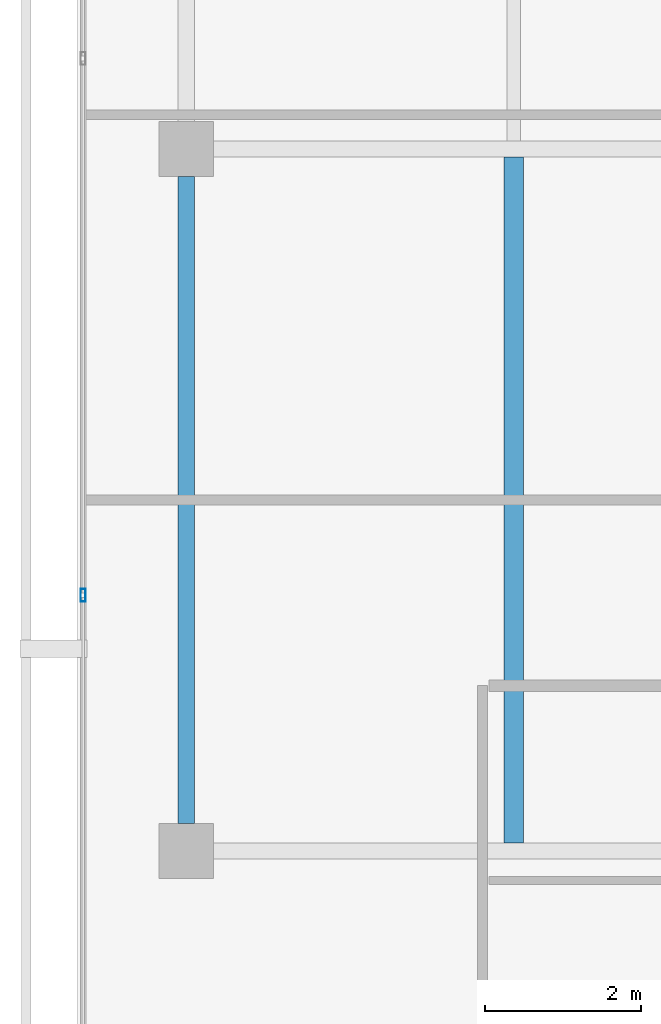
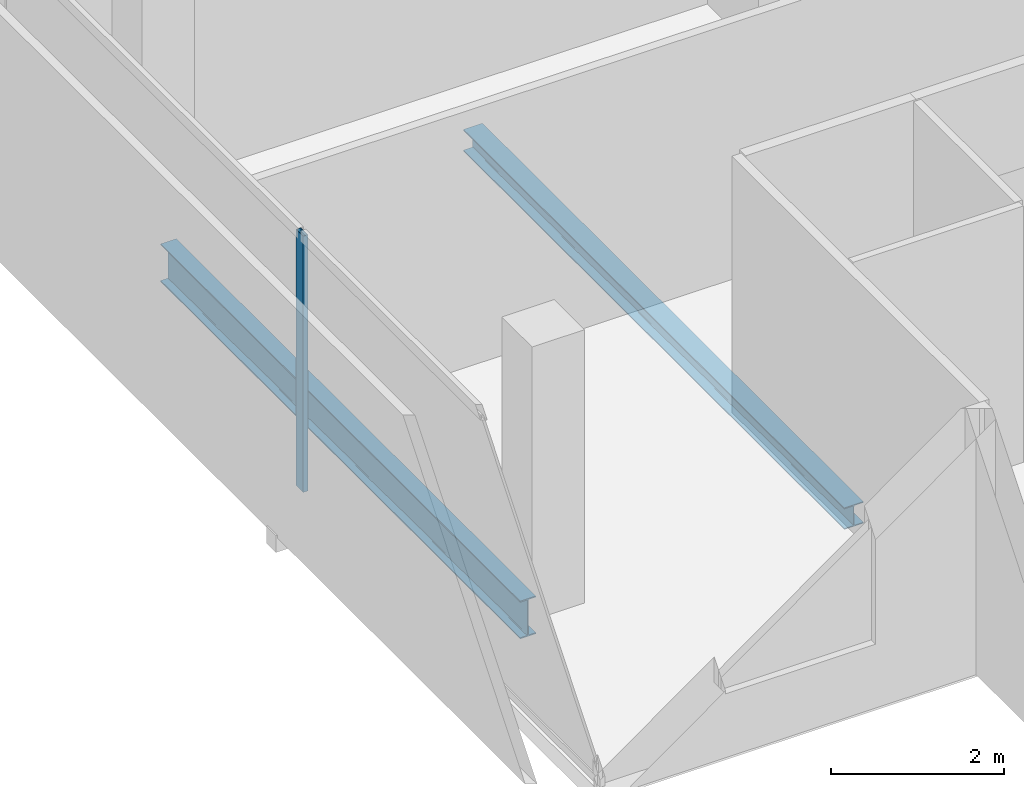
# One storey, part 4 of 26: 2 beams, 1 member, 1 element without a shape of its own.
"""IFC4 building model written with IfcOpenShell, lengths in metres."""

from ifc_helpers import new_model, si_unit, direction, frame, origin, origin_2d, place, context, subcontext, project, spatial, hollow_rectangle, i_section, extrude, material, layer, layer_set, material_profile, profile_set, type_object, element, aggregate, save


model = new_model("IFC4")

# Units and contexts
model_context = context("Model", 3, precision=1e-05, world=origin(), true_north=direction((0.0, 1.0)))
body_context = subcontext(model_context, "Body", "Model", "MODEL_VIEW")
ifc_project = project(units=[si_unit("LENGTHUNIT", "METRE"), si_unit("AREAUNIT", "SQUARE_METRE"), si_unit("VOLUMEUNIT", "CUBIC_METRE"), si_unit("PLANEANGLEUNIT", "RADIAN"), si_unit("MASSUNIT", "GRAM", prefix="KILO")], contexts=[model_context])

# Site, building, storey
site_placement = place(None, origin())
site = spatial("IfcSite", under=ifc_project, at=site_placement, CompositionType="ELEMENT")
building_placement = place(site_placement, origin())
building = spatial("IfcBuilding", under=site, at=building_placement, Name="Maruvema Waterfront Hotel and Observation Tower", CompositionType="ELEMENT")
storey_placement = place(building_placement, frame((0.0, 0.0, 254.800048828125)))
storey = spatial("IfcBuildingStorey", under=building, at=storey_placement, Name="L62", CompositionType="ELEMENT", Elevation=254.800048828125)

# Curtain wall, member
ifc_material_1 = material(Name="Anodised bronze aluminium and solar-control low-E IGU", Category="aluminium")
ifc_layer = layer(ifc_material_1, 0.159912109375, Name="Zone 3 Champagne Inner Thermal Curtain Wall System CW-04")
ifc_layer_set = layer_set([ifc_layer], Name="Anodised bronze aluminium and solar-control low-E IGU")
curtain_wall_type = type_object("IfcCurtainWallType", Name="Zone 3 Champagne Inner Thermal Curtain Wall System CW-04", PredefinedType="USERDEFINED", material=ifc_layer_set)
curtain_wall_placement = place(storey_placement, origin())
curtain_wall = element("IfcCurtainWall", 1, at=curtain_wall_placement, inside=storey, type_object=curtain_wall_type, Name="L62 Curtain Wall CW-L62-W", ObjectType="UNITISED CURTAIN WALL", PredefinedType="USERDEFINED")
ifc_material_2 = material(Name="Anodised architectural bronze aluminium", Category="aluminium")
ifc_material_profile_1 = material_profile(ifc_material_2, hollow_rectangle(XDim=0.06494140625, YDim=0.1650390625, WallThickness=0.00390625, at=origin_2d()), Name="ALU-M65x165")
ifc_profile_set_1 = profile_set([ifc_material_profile_1], Name="Anodised architectural bronze aluminium")
member_type = type_object("IfcMemberType", Name="Curtain Wall Primary Mullion ALU-M65x165", PredefinedType="MULLION", material=ifc_profile_set_1)
member_placement = place(storey_placement, frame((15.47998046875, 21.280029296875, 0.0), z_axis=(0.0, 0.0, 1.0), x_axis=(1.0, 0.0, 0.0)))
member = element("IfcMember", 2, at=member_placement, type_object=member_type, Name="CW-04 mullion 5", PredefinedType="MULLION", context=body_context, shape_type="SweptSolid", body=[
    extrude(hollow_rectangle(XDim=0.06494140625, YDim=0.1650390625, WallThickness=0.00390625, at=origin_2d()), origin(), (0.0, 0.0, 1.0), 3.60986328125),
])
aggregate(curtain_wall, [member])

# Beams
ifc_material_3 = material(Name="Steel ASTM A572 Grade 50", Category="steel")
ifc_material_profile_2 = material_profile(ifc_material_3, i_section(OverallWidth=0.208984375, OverallDepth=0.532958984375, WebThickness=0.01025390625, FlangeThickness=0.015625, FilletRadius=0.014892578125, at=origin_2d()), Name="W530x92.0")
ifc_profile_set_2 = profile_set([ifc_material_profile_2], Name="Steel ASTM A572 Grade 50")
beam_type_1 = type_object("IfcBeamType", Name="Primary Floor Girder W530x92.0", PredefinedType="BEAM", material=ifc_profile_set_2)
beam_1_placement = place(storey_placement, frame((16.800048828125, 18.35009765625, -0.506591796875), z_axis=(0.0, 1.0, 0.0), x_axis=(-1.0, 0.0, 0.0)))
element("IfcBeam", 3, at=beam_1_placement, inside=storey, type_object=beam_type_1, Name="L62 Floor Girder NS-01", PredefinedType="BEAM", context=body_context, shape_type="SweptSolid", body=[
    extrude(i_section(OverallWidth=0.208984375, OverallDepth=0.532958984375, WebThickness=0.01025390625, FlangeThickness=0.015625, FilletRadius=0.014892578125, at=origin_2d()), origin(), (0.0, 0.0, 1.0), 8.2998046875),
])
ifc_material_4 = material(Name="Steel ASTM A572 Grade 50", Category="steel")
ifc_material_profile_3 = material_profile(ifc_material_4, i_section(OverallWidth=0.25390625, OverallDepth=0.305908203125, WebThickness=0.0087890625, FlangeThickness=0.0146484375, FilletRadius=0.014892578125, at=origin_2d()), Name="W310x79.0")
ifc_profile_set_3 = profile_set([ifc_material_profile_3], Name="Steel ASTM A572 Grade 50")
beam_type_2 = type_object("IfcBeamType", Name="Secondary Floor Joist W310x79.0", PredefinedType="JOIST", material=ifc_profile_set_3)
beam_2_placement = place(storey_placement, frame((21.0, 18.1044921875, -0.39306640625), z_axis=(0.0, 1.0, 0.0), x_axis=(-1.0, 0.0, 0.0)))
element("IfcBeam", 4, at=beam_2_placement, inside=storey, type_object=beam_type_2, Name="L62 Secondary Floor Joist JS-01", PredefinedType="JOIST", context=body_context, shape_type="SweptSolid", body=[
    extrude(i_section(OverallWidth=0.25390625, OverallDepth=0.305908203125, WebThickness=0.0087890625, FlangeThickness=0.0146484375, FilletRadius=0.014892578125, at=origin_2d()), origin(), (0.0, 0.0, 1.0), 8.791015625),
])

save(model, "model.ifc")
